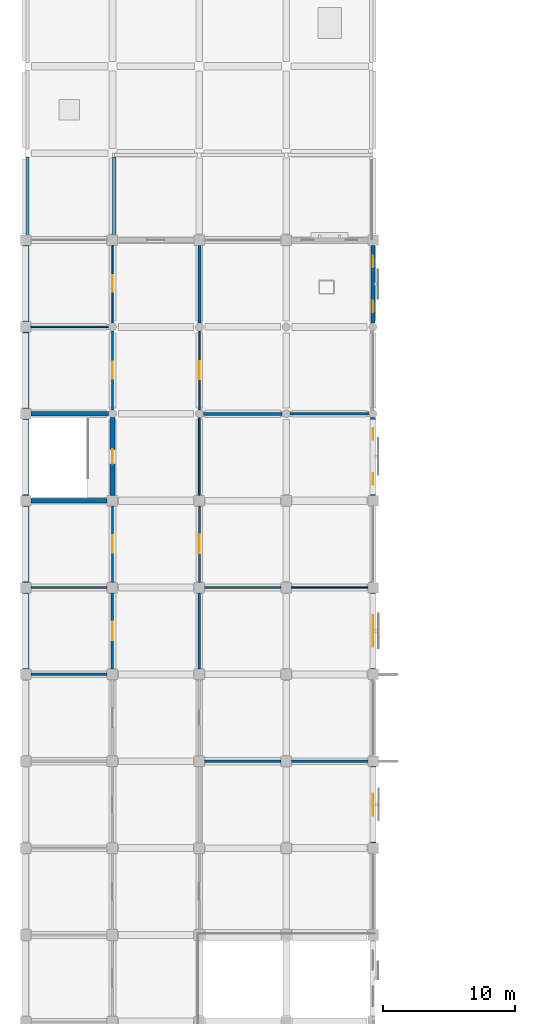
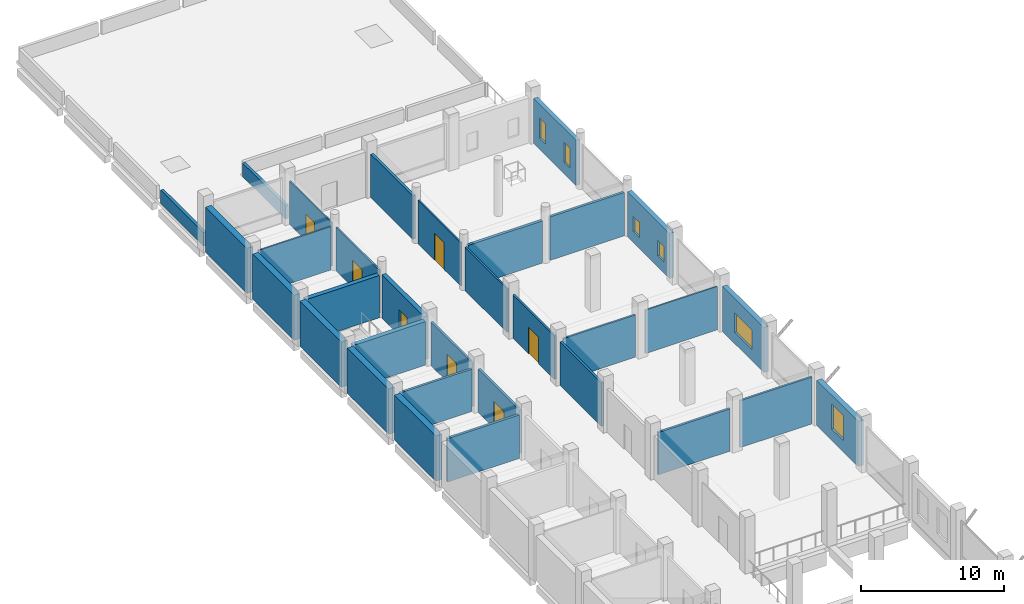
# One storey, part 24 of 34: 32 walls, 7 doors, 6 windows, 13 openings.
"""IFC4 building model written with IfcOpenShell, lengths in metres."""

from ifc_helpers import new_model, si_unit, direction, frame, frame_2d, origin, place, context, subcontext, project, spatial, rectangle, extrude, material, layer, layer_set, type_object, element, fill, save


model = new_model("IFC4")

# Units and contexts
model_context = context("Model", 3, precision=1e-05, world=origin(), true_north=direction((0.0, 1.0)))
body_context = subcontext(model_context, "Body", "Model", "MODEL_VIEW")
ifc_project = project(units=[si_unit("LENGTHUNIT", "METRE"), si_unit("AREAUNIT", "SQUARE_METRE"), si_unit("VOLUMEUNIT", "CUBIC_METRE"), si_unit("PLANEANGLEUNIT", "RADIAN"), si_unit("MASSUNIT", "GRAM", prefix="KILO")], contexts=[model_context])

# Site, building, storey
site_placement = place(None, origin())
site = spatial("IfcSite", under=ifc_project, at=site_placement, CompositionType="ELEMENT")
building_placement = place(site_placement, origin())
building = spatial("IfcBuilding", under=site, at=building_placement, Name="Rusizi Kubbe Research Institute", CompositionType="ELEMENT")
storey_placement = place(building_placement, frame((0.0, 0.0, 5.39990234375)))
storey = spatial("IfcBuildingStorey", under=building, at=storey_placement, Name="L01", CompositionType="ELEMENT", Elevation=5.39990234375)

# Walls
ifc_material_1 = material(Name="Concrete C45/55", Category="concrete")
ifc_layer_1 = layer(ifc_material_1, 0.35009765625)
ifc_layer_set_1 = layer_set([ifc_layer_1], Name="Concrete C45/55")
wall_type_1 = type_object("IfcWallType", Name="CRW-01", PredefinedType="SHEAR", material=ifc_layer_set_1)
wall_1_placement = place(storey_placement, frame((0.39990234375, 125.39990234375, 0.0), z_axis=(0.0, 0.0, 1.0), x_axis=(1.0, 0.0, 0.0)))
element("IfcWall", 1, at=wall_1_placement, inside=storey, type_object=wall_type_1, Name="Stair Core Shear Wall ST6 L01 S", PredefinedType="SHEAR", context=body_context, shape_type="SweptSolid", body=[
    extrude(rectangle(XDim=5.800048828125, YDim=0.35009765625, at=frame_2d((2.89990234375, 0.0))), origin(), (0.0, 0.0, 1.0), 3.7001953125),
])
wall_2_placement = place(storey_placement, frame((0.39990234375, 132.0, 0.0), z_axis=(0.0, 0.0, 1.0), x_axis=(1.0, 0.0, 0.0)))
element("IfcWall", 2, at=wall_2_placement, inside=storey, type_object=wall_type_1, Name="Stair Core Shear Wall ST6 L01 N", PredefinedType="SHEAR", context=body_context, shape_type="SweptSolid", body=[
    extrude(rectangle(XDim=5.900146484375, YDim=0.35009765625, at=frame_2d((2.9501953125, 0.0))), origin(), (0.0, 0.0, 1.0), 3.60009765625),
])

# Wall, opening, door
wall_3_placement = place(storey_placement, frame((6.60009765625, 125.800048828125, 0.0), z_axis=(0.0, 0.0, 1.0), x_axis=(0.0, 1.0, 0.0)))
wall_3 = element("IfcWall", 3, at=wall_3_placement, inside=storey, type_object=wall_type_1, Name="Stair Core Shear Wall ST6 L01 E", PredefinedType="SHEAR", context=body_context, shape_type="SweptSolid", body=[
    extrude(rectangle(XDim=5.89990234375, YDim=0.35009765625, at=frame_2d((2.949951171875, 0.0))), origin(), (0.0, 0.0, 1.0), 3.7001953125),
])
opening_1_placement = place(wall_3_placement, frame((2.39990234375, 0.0, 0.0)))
opening_1 = element("IfcOpeningElement", 4, at=opening_1_placement, cuts=wall_3, Name="Opening D-01", PredefinedType="OPENING", context=body_context, shape_type="SweptSolid", body=[
    extrude(rectangle(XDim=1.10009765625, YDim=2.14990234375, at=frame_2d((0.550048828125, 1.074951171875))), frame((0.0, 0.18505859375, 0.0), z_axis=(0.0, -1.0, 0.0), x_axis=(1.0, 0.0, 0.0)), (0.0, 0.0, 1.0), 0.3701171875),
])
ifc_material_2 = material(Name="Fire-Rated Steel Frame and Acoustic Timber Leaf", Category="wood")
door_type_1 = type_object("IfcDoorType", Name="ID-STAIR-110", OperationType="NOTDEFINED", PredefinedType="DOOR", material=ifc_material_2)
door_1_placement = place(opening_1_placement, origin())
door_1 = element("IfcDoor", 5, at=door_1_placement, inside=storey, type_object=door_type_1, Name="Exit Stair Door ST6 L01", OperationType="SINGLE_SWING_LEFT", OverallHeight=2.14990234375, OverallWidth=1.10009765625, PredefinedType="DOOR", context=body_context, shape_type="SweptSolid", body=[
    extrude(rectangle(XDim=1.10009765625, YDim=2.14990234375, at=frame_2d((0.550048828125, 1.074951171875))), frame((0.0, 0.02490234375, 0.0), z_axis=(0.0, -1.0, 0.0), x_axis=(1.0, 0.0, 0.0)), (0.0, 0.0, 1.0), 0.050048828125),
])
fill(opening_1, door_1)

# Wall, opening, window
ifc_material_3 = material(Name="Volcanic Basalt Ashlar Masonry", Category="masonry")
ifc_layer_2 = layer(ifc_material_3, 0.419921875)
ifc_layer_set_2 = layer_set([ifc_layer_2], Name="Volcanic Basalt Ashlar Masonry")
wall_type_2 = type_object("IfcWallType", Name="EW-02", PredefinedType="SOLIDWALL", material=ifc_layer_set_2)
wall_4_placement = place(storey_placement, frame((26.39990234375, 99.39990234375, 0.0), z_axis=(0.0, 0.0, 1.0), x_axis=(0.0, 1.0, 0.0)))
wall_4 = element("IfcWall", 6, at=wall_4_placement, inside=storey, type_object=wall_type_2, Name="Ablaq Stone Exterior Wall L01 V4-15", PredefinedType="SOLIDWALL", context=body_context, shape_type="SweptSolid", body=[
    extrude(rectangle(XDim=5.800048828125, YDim=0.419921875, at=frame_2d((2.89990234375, 0.0))), origin(), (0.0, 0.0, 1.0), 3.85009765625),
])
opening_2_placement = place(wall_4_placement, frame((2.070068359375, 0.0, 0.949951171875)))
opening_2 = element("IfcOpeningElement", 7, at=opening_2_placement, cuts=wall_4, Name="Opening WN-37", PredefinedType="OPENING", context=body_context, shape_type="SweptSolid", body=[
    extrude(rectangle(XDim=1.659912109375, YDim=2.139892578125, at=frame_2d((0.830078125, 1.06982421875))), frame((0.0, 0.219970703125, 0.0), z_axis=(0.0, -1.0, 0.0), x_axis=(1.0, 0.0, 0.0)), (0.0, 0.0, 1.0), 0.43994140625),
])
ifc_material_4 = material(Name="Aluminium Frame and Solar-Control Double Glazing", Category="glass")
window_type_1 = type_object("IfcWindowType", Name="WN-37", PartitioningType="DOUBLE_PANEL_VERTICAL", PredefinedType="WINDOW", material=ifc_material_4)
window_1_placement = place(opening_2_placement, origin())
window_1 = element("IfcWindow", 8, at=window_1_placement, inside=storey, type_object=window_type_1, Name="Casement Window WN-37 L01", OverallHeight=2.139892578125, OverallWidth=1.659912109375, PartitioningType="DOUBLE_PANEL_VERTICAL", PredefinedType="WINDOW", context=body_context, shape_type="SweptSolid", body=[
    extrude(rectangle(XDim=1.659912109375, YDim=2.139892578125, at=frame_2d((0.830078125, 1.06982421875))), frame((0.0, 0.030029296875, 0.0), z_axis=(0.0, -1.0, 0.0), x_axis=(1.0, 0.0, 0.0)), (0.0, 0.0, 1.0), 0.06005859375),
])
fill(opening_2, window_1)

ifc_material_5 = material(Name="Volcanic Basalt Ashlar Masonry", Category="masonry")
ifc_layer_3 = layer(ifc_material_5, 0.385009765625)
ifc_layer_set_3 = layer_set([ifc_layer_3], Name="Volcanic Basalt Ashlar Masonry")
wall_type_3 = type_object("IfcWallType", Name="EW-04", PredefinedType="SOLIDWALL", material=ifc_layer_set_3)
wall_5_placement = place(storey_placement, frame((26.39990234375, 112.60009765625, 0.0), z_axis=(0.0, 0.0, 1.0), x_axis=(0.0, 1.0, 0.0)))
wall_5 = element("IfcWall", 9, at=wall_5_placement, inside=storey, type_object=wall_type_3, Name="Ablaq Stone Exterior Wall L01 V4-17", PredefinedType="SOLIDWALL", context=body_context, shape_type="SweptSolid", body=[
    extrude(rectangle(XDim=5.7998046875, YDim=0.385009765625, at=frame_2d((2.89990234375, 0.0))), origin(), (0.0, 0.0, 1.0), 3.85009765625),
])
opening_3_placement = place(wall_5_placement, frame((1.68994140625, 0.0, 0.949951171875)))
opening_3 = element("IfcOpeningElement", 10, at=opening_3_placement, cuts=wall_5, Name="Opening WN-38", PredefinedType="OPENING", context=body_context, shape_type="SweptSolid", body=[
    extrude(rectangle(XDim=2.419921875, YDim=1.679931640625, at=frame_2d((1.2099609375, 0.83984375))), frame((0.0, 0.202392578125, 0.0), z_axis=(0.0, -1.0, 0.0), x_axis=(1.0, 0.0, 0.0)), (0.0, 0.0, 1.0), 0.405029296875),
])
ifc_material_6 = material(Name="Aluminium Frame and Solar-Control Double Glazing", Category="glass")
window_type_2 = type_object("IfcWindowType", Name="WN-38", PartitioningType="DOUBLE_PANEL_VERTICAL", PredefinedType="WINDOW", material=ifc_material_6)
window_2_placement = place(opening_3_placement, origin())
window_2 = element("IfcWindow", 11, at=window_2_placement, inside=storey, type_object=window_type_2, Name="Casement Window WN-38 L01", OverallHeight=1.679931640625, OverallWidth=2.419921875, PartitioningType="DOUBLE_PANEL_VERTICAL", PredefinedType="WINDOW", context=body_context, shape_type="SweptSolid", body=[
    extrude(rectangle(XDim=2.419921875, YDim=1.679931640625, at=frame_2d((1.2099609375, 0.83984375))), frame((0.0, 0.030029296875, 0.0), z_axis=(0.0, -1.0, 0.0), x_axis=(1.0, 0.0, 0.0)), (0.0, 0.0, 1.0), 0.06005859375),
])
fill(opening_3, window_2)

# Wall, openings, windows
ifc_material_7 = material(Name="Volcanic Basalt Ashlar Masonry", Category="masonry")
ifc_layer_4 = layer(ifc_material_7, 0.35498046875)
ifc_layer_set_4 = layer_set([ifc_layer_4], Name="Volcanic Basalt Ashlar Masonry")
wall_type_4 = type_object("IfcWallType", Name="EW-06", PredefinedType="SOLIDWALL", material=ifc_layer_set_4)
wall_6_placement = place(storey_placement, frame((26.39990234375, 125.800048828125, 0.0), z_axis=(0.0, 0.0, 1.0), x_axis=(0.0, 1.0, 0.0)))
wall_6 = element("IfcWall", 12, at=wall_6_placement, inside=storey, type_object=wall_type_4, Name="Ablaq Stone Exterior Wall L01 V4-19", PredefinedType="SOLIDWALL", context=body_context, shape_type="SweptSolid", body=[
    extrude(rectangle(XDim=5.89990234375, YDim=0.35498046875, at=frame_2d((2.949951171875, 0.0))), origin(), (0.0, 0.0, 1.0), 3.85009765625),
])
opening_4_placement = place(wall_6_placement, frame((0.800048828125, 0.0, 0.949951171875)))
opening_4 = element("IfcOpeningElement", 13, at=opening_4_placement, cuts=wall_6, Name="Opening WN-01", PredefinedType="OPENING", context=body_context, shape_type="SweptSolid", body=[
    extrude(rectangle(XDim=0.8798828125, YDim=1.300048828125, at=frame_2d((0.43994140625, 0.64990234375))), frame((0.0, 0.1875, 0.0), z_axis=(0.0, -1.0, 0.0), x_axis=(1.0, 0.0, 0.0)), (0.0, 0.0, 1.0), 0.375),
])
opening_5_placement = place(wall_6_placement, frame((4.219970703125, 0.0, 0.949951171875)))
opening_5 = element("IfcOpeningElement", 14, at=opening_5_placement, cuts=wall_6, Name="Opening WN-01", PredefinedType="OPENING", context=body_context, shape_type="SweptSolid", body=[
    extrude(rectangle(XDim=0.8798828125, YDim=1.300048828125, at=frame_2d((0.43994140625, 0.64990234375))), frame((0.0, 0.1875, 0.0), z_axis=(0.0, -1.0, 0.0), x_axis=(1.0, 0.0, 0.0)), (0.0, 0.0, 1.0), 0.375),
])
ifc_material_8 = material(Name="Aluminium Frame and Solar-Control Double Glazing", Category="glass")
window_type_3 = type_object("IfcWindowType", Name="WN-01", PartitioningType="SINGLE_PANEL", PredefinedType="WINDOW", material=ifc_material_8)
window_3_placement = place(opening_4_placement, origin())
window_3 = element("IfcWindow", 15, at=window_3_placement, inside=storey, type_object=window_type_3, Name="Casement Window WN-01 L01", OverallHeight=1.300048828125, OverallWidth=0.8798828125, PartitioningType="SINGLE_PANEL", PredefinedType="WINDOW", context=body_context, shape_type="SweptSolid", body=[
    extrude(rectangle(XDim=0.8798828125, YDim=1.300048828125, at=frame_2d((0.43994140625, 0.64990234375))), frame((0.0, 0.030029296875, 0.0), z_axis=(0.0, -1.0, 0.0), x_axis=(1.0, 0.0, 0.0)), (0.0, 0.0, 1.0), 0.06005859375),
])
fill(opening_4, window_3)
window_4_placement = place(opening_5_placement, origin())
window_4 = element("IfcWindow", 16, at=window_4_placement, inside=storey, type_object=window_type_3, Name="Casement Window WN-01 L01", OverallHeight=1.300048828125, OverallWidth=0.8798828125, PartitioningType="SINGLE_PANEL", PredefinedType="WINDOW", context=body_context, shape_type="SweptSolid", body=[
    extrude(rectangle(XDim=0.8798828125, YDim=1.300048828125, at=frame_2d((0.43994140625, 0.64990234375))), frame((0.0, 0.030029296875, 0.0), z_axis=(0.0, -1.0, 0.0), x_axis=(1.0, 0.0, 0.0)), (0.0, 0.0, 1.0), 0.06005859375),
])
fill(opening_5, window_4)

ifc_material_9 = material(Name="Volcanic Basalt Ashlar Masonry", Category="masonry")
ifc_layer_5 = layer(ifc_material_9, 0.324951171875)
ifc_layer_set_5 = layer_set([ifc_layer_5], Name="Volcanic Basalt Ashlar Masonry")
wall_type_5 = type_object("IfcWallType", Name="EW-08", PredefinedType="SOLIDWALL", material=ifc_layer_set_5)
wall_7_placement = place(storey_placement, frame((26.39990234375, 138.89990234375, 0.0), z_axis=(0.0, 0.0, 1.0), x_axis=(0.0, 1.0, 0.0)))
wall_7 = element("IfcWall", 17, at=wall_7_placement, inside=storey, type_object=wall_type_5, Name="Ablaq Stone Exterior Wall L01 V4-21", PredefinedType="SOLIDWALL", context=body_context, shape_type="SweptSolid", body=[
    extrude(rectangle(XDim=5.900146484375, YDim=0.324951171875, at=frame_2d((2.9501953125, 0.0))), origin(), (0.0, 0.0, 1.0), 3.85009765625),
])
opening_6_placement = place(wall_7_placement, frame((0.800048828125, 0.0, 0.949951171875)))
opening_6 = element("IfcOpeningElement", 18, at=opening_6_placement, cuts=wall_7, Name="Opening WN-03", PredefinedType="OPENING", context=body_context, shape_type="SweptSolid", body=[
    extrude(rectangle(XDim=0.8798828125, YDim=1.739990234375, at=frame_2d((0.43994140625, 0.8701171875))), frame((0.0, 0.17236328125, 0.0), z_axis=(0.0, -1.0, 0.0), x_axis=(1.0, 0.0, 0.0)), (0.0, 0.0, 1.0), 0.344970703125),
])
opening_7_placement = place(wall_7_placement, frame((4.219970703125, 0.0, 0.949951171875)))
opening_7 = element("IfcOpeningElement", 19, at=opening_7_placement, cuts=wall_7, Name="Opening WN-03", PredefinedType="OPENING", context=body_context, shape_type="SweptSolid", body=[
    extrude(rectangle(XDim=0.8798828125, YDim=1.739990234375, at=frame_2d((0.43994140625, 0.8701171875))), frame((0.0, 0.17236328125, 0.0), z_axis=(0.0, -1.0, 0.0), x_axis=(1.0, 0.0, 0.0)), (0.0, 0.0, 1.0), 0.344970703125),
])
ifc_material_10 = material(Name="Aluminium Frame and Solar-Control Double Glazing", Category="glass")
window_type_4 = type_object("IfcWindowType", Name="WN-03", PartitioningType="SINGLE_PANEL", PredefinedType="WINDOW", material=ifc_material_10)
window_5_placement = place(opening_6_placement, origin())
window_5 = element("IfcWindow", 20, at=window_5_placement, inside=storey, type_object=window_type_4, Name="Casement Window WN-03 L01", OverallHeight=1.739990234375, OverallWidth=0.8798828125, PartitioningType="SINGLE_PANEL", PredefinedType="WINDOW", context=body_context, shape_type="SweptSolid", body=[
    extrude(rectangle(XDim=0.8798828125, YDim=1.739990234375, at=frame_2d((0.43994140625, 0.8701171875))), frame((0.0, 0.030029296875, 0.0), z_axis=(0.0, -1.0, 0.0), x_axis=(1.0, 0.0, 0.0)), (0.0, 0.0, 1.0), 0.06005859375),
])
fill(opening_6, window_5)
window_6_placement = place(opening_7_placement, origin())
window_6 = element("IfcWindow", 21, at=window_6_placement, inside=storey, type_object=window_type_4, Name="Casement Window WN-03 L01", OverallHeight=1.739990234375, OverallWidth=0.8798828125, PartitioningType="SINGLE_PANEL", PredefinedType="WINDOW", context=body_context, shape_type="SweptSolid", body=[
    extrude(rectangle(XDim=0.8798828125, YDim=1.739990234375, at=frame_2d((0.43994140625, 0.8701171875))), frame((0.0, 0.030029296875, 0.0), z_axis=(0.0, -1.0, 0.0), x_axis=(1.0, 0.0, 0.0)), (0.0, 0.0, 1.0), 0.06005859375),
])
fill(opening_7, window_6)

# Walls
ifc_material_11 = material(Name="Concrete Blockwork Fire Partition", Category="masonry")
ifc_layer_6 = layer(ifc_material_11, 0.22509765625)
ifc_layer_set_6 = layer_set([ifc_layer_6], Name="Concrete Blockwork Fire Partition")
wall_type_6 = type_object("IfcWallType", Name="IW-01", PredefinedType="PARTITIONING", material=ifc_layer_set_6)
wall_8_placement = place(storey_placement, frame((13.199951171875, 138.89990234375, 0.0), z_axis=(0.0, 0.0, 1.0), x_axis=(0.0, 1.0, 0.0)))
element("IfcWall", 22, at=wall_8_placement, inside=storey, type_object=wall_type_6, Name="Interior Partition Wall L01 V2-21", PredefinedType="PARTITIONING", context=body_context, shape_type="SweptSolid", body=[
    extrude(rectangle(XDim=5.900146484375, YDim=0.22509765625, at=frame_2d((2.9501953125, 0.0))), origin(), (0.0, 0.0, 1.0), 3.7001953125),
])
wall_9_placement = place(storey_placement, frame((13.5, 132.0, 0.0), z_axis=(0.0, 0.0, 1.0), x_axis=(1.0, 0.0, 0.0)))
element("IfcWall", 23, at=wall_9_placement, inside=storey, type_object=wall_type_6, Name="Interior Partition Wall L01 H2-20", PredefinedType="PARTITIONING", context=body_context, shape_type="SweptSolid", body=[
    extrude(rectangle(XDim=6.0, YDim=0.22509765625, at=frame_2d((3.0, 0.0))), origin(), (0.0, 0.0, 1.0), 3.60009765625),
])
ifc_material_12 = material(Name="Insulated Cleanroom Partition", Category="masonry")
ifc_layer_7 = layer(ifc_material_12, 0.195068359375)
ifc_layer_set_7 = layer_set([ifc_layer_7], Name="Insulated Cleanroom Partition")
wall_type_7 = type_object("IfcWallType", Name="IW-02", PredefinedType="PARTITIONING", material=ifc_layer_set_7)
wall_10_placement = place(storey_placement, frame((0.39990234375, 112.199951171875, 0.0), z_axis=(0.0, 0.0, 1.0), x_axis=(1.0, 0.0, 0.0)))
element("IfcWall", 24, at=wall_10_placement, inside=storey, type_object=wall_type_7, Name="Interior Partition Wall L01 H0-17", PredefinedType="PARTITIONING", context=body_context, shape_type="SweptSolid", body=[
    extrude(rectangle(XDim=5.800048828125, YDim=0.195068359375, at=frame_2d((2.89990234375, 0.0))), origin(), (0.0, 0.0, 1.0), 3.7001953125),
])

# Wall, opening, door
wall_11_placement = place(storey_placement, frame((6.60009765625, 112.60009765625, 0.0), z_axis=(0.0, 0.0, 1.0), x_axis=(0.0, 1.0, 0.0)))
wall_11 = element("IfcWall", 25, at=wall_11_placement, inside=storey, type_object=wall_type_7, Name="Interior Partition Wall L01 V1-17", PredefinedType="PARTITIONING", context=body_context, shape_type="SweptSolid", body=[
    extrude(rectangle(XDim=5.7998046875, YDim=0.195068359375, at=frame_2d((2.89990234375, 0.0))), origin(), (0.0, 0.0, 1.0), 3.7001953125),
])
opening_8_placement = place(wall_11_placement, frame((2.199951171875, 0.0, 0.0)))
opening_8 = element("IfcOpeningElement", 26, at=opening_8_placement, cuts=wall_11, Name="Opening D-12", PredefinedType="OPENING", context=body_context, shape_type="SweptSolid", body=[
    extrude(rectangle(XDim=1.39990234375, YDim=2.25, at=frame_2d((0.699951171875, 1.125))), frame((0.0, 0.107421875, 0.0), z_axis=(0.0, -1.0, 0.0), x_axis=(1.0, 0.0, 0.0)), (0.0, 0.0, 1.0), 0.215087890625),
])
ifc_material_13 = material(Name="Fire-Rated Steel Frame and Acoustic Timber Leaf", Category="wood")
door_type_2 = type_object("IfcDoorType", Name="ID-LAB-140", OperationType="NOTDEFINED", PredefinedType="DOOR", material=ifc_material_13)
door_2_placement = place(opening_8_placement, origin())
door_2 = element("IfcDoor", 27, at=door_2_placement, inside=storey, type_object=door_type_2, Name="Door to Clean Room Metrology Laboratory (L01-WSP-17)", OperationType="SINGLE_SWING_RIGHT", OverallHeight=2.25, OverallWidth=1.39990234375, PredefinedType="DOOR", context=body_context, shape_type="SweptSolid", body=[
    extrude(rectangle(XDim=1.39990234375, YDim=2.25, at=frame_2d((0.699951171875, 1.125))), frame((0.0, 0.02490234375, 0.0), z_axis=(0.0, -1.0, 0.0), x_axis=(1.0, 0.0, 0.0)), (0.0, 0.0, 1.0), 0.050048828125),
])
fill(opening_8, door_2)

# Walls
wall_12_placement = place(storey_placement, frame((20.10009765625, 132.0, 0.0), z_axis=(0.0, 0.0, 1.0), x_axis=(1.0, 0.0, 0.0)))
element("IfcWall", 28, at=wall_12_placement, inside=storey, type_object=wall_type_7, Name="Interior Partition Wall L01 H3-20", PredefinedType="PARTITIONING", context=body_context, shape_type="SweptSolid", body=[
    extrude(rectangle(XDim=6.0, YDim=0.195068359375, at=frame_2d((3.0, 0.0))), origin(), (0.0, 0.0, 1.0), 3.7001953125),
])
ifc_material_14 = material(Name="Acoustic Laboratory Partition", Category="masonry")
ifc_layer_8 = layer(ifc_material_14, 0.175048828125)
ifc_layer_set_8 = layer_set([ifc_layer_8], Name="Acoustic Laboratory Partition")
wall_type_8 = type_object("IfcWallType", Name="IW-03", PredefinedType="PARTITIONING", material=ifc_layer_set_8)
wall_13_placement = place(storey_placement, frame((0.39990234375, 118.800048828125, 0.0), z_axis=(0.0, 0.0, 1.0), x_axis=(1.0, 0.0, 0.0)))
element("IfcWall", 29, at=wall_13_placement, inside=storey, type_object=wall_type_8, Name="Interior Partition Wall L01 H0-18", PredefinedType="PARTITIONING", context=body_context, shape_type="SweptSolid", body=[
    extrude(rectangle(XDim=5.800048828125, YDim=0.175048828125, at=frame_2d((2.89990234375, 0.0))), origin(), (0.0, 0.0, 1.0), 3.60009765625),
])

# Wall, opening, door
wall_14_placement = place(storey_placement, frame((6.60009765625, 119.199951171875, 0.0), z_axis=(0.0, 0.0, 1.0), x_axis=(0.0, 1.0, 0.0)))
wall_14 = element("IfcWall", 30, at=wall_14_placement, inside=storey, type_object=wall_type_8, Name="Interior Partition Wall L01 V1-18", PredefinedType="PARTITIONING", context=body_context, shape_type="SweptSolid", body=[
    extrude(rectangle(XDim=5.800048828125, YDim=0.175048828125, at=frame_2d((2.89990234375, 0.0))), origin(), (0.0, 0.0, 1.0), 3.7001953125),
])
opening_9_placement = place(wall_14_placement, frame((2.22509765625, 0.0, 0.0)))
opening_9 = element("IfcOpeningElement", 31, at=opening_9_placement, cuts=wall_14, Name="Opening D-13", PredefinedType="OPENING", context=body_context, shape_type="SweptSolid", body=[
    extrude(rectangle(XDim=1.35009765625, YDim=2.300048828125, at=frame_2d((0.675048828125, 1.14990234375))), frame((0.0, 0.097412109375, 0.0), z_axis=(0.0, -1.0, 0.0), x_axis=(1.0, 0.0, 0.0)), (0.0, 0.0, 1.0), 0.195068359375),
])
ifc_material_15 = material(Name="Fire-Rated Steel Frame and Acoustic Timber Leaf", Category="wood")
door_type_3 = type_object("IfcDoorType", Name="ID-LAB-135", OperationType="NOTDEFINED", PredefinedType="DOOR", material=ifc_material_15)
door_3_placement = place(opening_9_placement, origin())
door_3 = element("IfcDoor", 32, at=door_3_placement, inside=storey, type_object=door_type_3, Name="Door to Service Spine Autoclave Room (L01-WSP-18)", OperationType="SINGLE_SWING_LEFT", OverallHeight=2.300048828125, OverallWidth=1.35009765625, PredefinedType="DOOR", context=body_context, shape_type="SweptSolid", body=[
    extrude(rectangle(XDim=1.35009765625, YDim=2.300048828125, at=frame_2d((0.675048828125, 1.14990234375))), frame((0.0, 0.02490234375, 0.0), z_axis=(0.0, -1.0, 0.0), x_axis=(1.0, 0.0, 0.0)), (0.0, 0.0, 1.0), 0.050048828125),
])
fill(opening_9, door_3)

# Walls
wall_15_placement = place(storey_placement, frame((13.199951171875, 112.60009765625, 0.0), z_axis=(0.0, 0.0, 1.0), x_axis=(0.0, 1.0, 0.0)))
element("IfcWall", 33, at=wall_15_placement, inside=storey, type_object=wall_type_8, Name="Interior Partition Wall L01 V2-17", PredefinedType="PARTITIONING", context=body_context, shape_type="SweptSolid", body=[
    extrude(rectangle(XDim=5.7998046875, YDim=0.175048828125, at=frame_2d((2.89990234375, 0.0))), origin(), (0.0, 0.0, 1.0), 3.7001953125),
])
wall_16_placement = place(storey_placement, frame((13.60009765625, 105.60009765625, 0.0), z_axis=(0.0, 0.0, 1.0), x_axis=(1.0, 0.0, 0.0)))
element("IfcWall", 34, at=wall_16_placement, inside=storey, type_object=wall_type_8, Name="Interior Partition Wall L01 H2-16", PredefinedType="PARTITIONING", context=body_context, shape_type="SweptSolid", body=[
    extrude(rectangle(XDim=5.7998046875, YDim=0.175048828125, at=frame_2d((2.89990234375, 0.0))), origin(), (0.0, 0.0, 1.0), 3.60009765625),
])

# Wall, opening, door
ifc_material_16 = material(Name="Fire-Rated Corridor Partition", Category="masonry")
ifc_layer_9 = layer(ifc_material_16, 0.155029296875)
ifc_layer_set_9 = layer_set([ifc_layer_9], Name="Fire-Rated Corridor Partition")
wall_type_9 = type_object("IfcWallType", Name="IW-04", PredefinedType="PARTITIONING", material=ifc_layer_set_9)
wall_17_placement = place(storey_placement, frame((13.199951171875, 119.199951171875, 0.0), z_axis=(0.0, 0.0, 1.0), x_axis=(0.0, 1.0, 0.0)))
wall_17 = element("IfcWall", 35, at=wall_17_placement, inside=storey, type_object=wall_type_9, Name="Interior Partition Wall L01 V2-18", PredefinedType="PARTITIONING", context=body_context, shape_type="SweptSolid", body=[
    extrude(rectangle(XDim=5.800048828125, YDim=0.155029296875, at=frame_2d((2.89990234375, 0.0))), origin(), (0.0, 0.0, 1.0), 3.7001953125),
])
opening_10_placement = place(wall_17_placement, frame((2.199951171875, 0.0, 0.0)))
opening_10 = element("IfcOpeningElement", 36, at=opening_10_placement, cuts=wall_17, Name="Opening D-12", PredefinedType="OPENING", context=body_context, shape_type="SweptSolid", body=[
    extrude(rectangle(XDim=1.39990234375, YDim=2.25, at=frame_2d((0.699951171875, 1.125))), frame((0.0, 0.08740234375, 0.0), z_axis=(0.0, -1.0, 0.0), x_axis=(1.0, 0.0, 0.0)), (0.0, 0.0, 1.0), 0.175048828125),
])
door_4_placement = place(opening_10_placement, origin())
door_4 = element("IfcDoor", 37, at=door_4_placement, inside=storey, type_object=door_type_2, Name="Door to Bioscience Wet Laboratory (L01-NW-08)", OperationType="SINGLE_SWING_RIGHT", OverallHeight=2.25, OverallWidth=1.39990234375, PredefinedType="DOOR", context=body_context, shape_type="SweptSolid", body=[
    extrude(rectangle(XDim=1.39990234375, YDim=2.25, at=frame_2d((0.699951171875, 1.125))), frame((0.0, 0.02490234375, 0.0), z_axis=(0.0, -1.0, 0.0), x_axis=(1.0, 0.0, 0.0)), (0.0, 0.0, 1.0), 0.050048828125),
])
fill(opening_10, door_4)

# Wall
wall_18_placement = place(storey_placement, frame((20.199951171875, 105.60009765625, 0.0), z_axis=(0.0, 0.0, 1.0), x_axis=(1.0, 0.0, 0.0)))
element("IfcWall", 38, at=wall_18_placement, inside=storey, type_object=wall_type_9, Name="Interior Partition Wall L01 H3-16", PredefinedType="PARTITIONING", context=body_context, shape_type="SweptSolid", body=[
    extrude(rectangle(XDim=5.800048828125, YDim=0.155029296875, at=frame_2d((2.89990234375, 0.0))), origin(), (0.0, 0.0, 1.0), 4.0),
])

# Wall, opening, door
ifc_material_17 = material(Name="Write-up Glazed Acoustic Partition", Category="masonry")
ifc_layer_10 = layer(ifc_material_17, 0.139892578125)
ifc_layer_set_10 = layer_set([ifc_layer_10], Name="Write-up Glazed Acoustic Partition")
wall_type_10 = type_object("IfcWallType", Name="IW-05", PredefinedType="PARTITIONING", material=ifc_layer_set_10)
wall_19_placement = place(storey_placement, frame((6.60009765625, 132.300048828125, 0.0), z_axis=(0.0, 0.0, 1.0), x_axis=(0.0, 1.0, 0.0)))
wall_19 = element("IfcWall", 39, at=wall_19_placement, inside=storey, type_object=wall_type_10, Name="Interior Partition Wall L01 V1-20", PredefinedType="PARTITIONING", context=body_context, shape_type="SweptSolid", body=[
    extrude(rectangle(XDim=6.0, YDim=0.139892578125, at=frame_2d((3.0, 0.0))), origin(), (0.0, 0.0, 1.0), 3.7001953125),
])
opening_11_placement = place(wall_19_placement, frame((2.35009765625, 0.0, 0.0)))
opening_11 = element("IfcOpeningElement", 40, at=opening_11_placement, cuts=wall_19, Name="Opening D-14", PredefinedType="OPENING", context=body_context, shape_type="SweptSolid", body=[
    extrude(rectangle(XDim=1.300048828125, YDim=2.300048828125, at=frame_2d((0.64990234375, 1.14990234375))), frame((0.0, 0.079833984375, 0.0), z_axis=(0.0, -1.0, 0.0), x_axis=(1.0, 0.0, 0.0)), (0.0, 0.0, 1.0), 0.159912109375),
])
ifc_material_18 = material(Name="Fire-Rated Steel Frame and Acoustic Timber Leaf", Category="wood")
door_type_4 = type_object("IfcDoorType", Name="ID-LAB-130", OperationType="NOTDEFINED", PredefinedType="DOOR", material=ifc_material_18)
door_5_placement = place(opening_11_placement, origin())
door_5 = element("IfcDoor", 41, at=door_5_placement, inside=storey, type_object=door_type_4, Name="Door to Service Spine Autoclave Room (L01-WSP-20)", OperationType="SINGLE_SWING_RIGHT", OverallHeight=2.300048828125, OverallWidth=1.300048828125, PredefinedType="DOOR", context=body_context, shape_type="SweptSolid", body=[
    extrude(rectangle(XDim=1.300048828125, YDim=2.300048828125, at=frame_2d((0.64990234375, 1.14990234375))), frame((0.0, 0.02490234375, 0.0), z_axis=(0.0, -1.0, 0.0), x_axis=(1.0, 0.0, 0.0)), (0.0, 0.0, 1.0), 0.050048828125),
])
fill(opening_11, door_5)

# Walls
wall_20_placement = place(storey_placement, frame((13.199951171875, 125.800048828125, 0.0), z_axis=(0.0, 0.0, 1.0), x_axis=(0.0, 1.0, 0.0)))
element("IfcWall", 42, at=wall_20_placement, inside=storey, type_object=wall_type_10, Name="Interior Partition Wall L01 V2-19", PredefinedType="PARTITIONING", context=body_context, shape_type="SweptSolid", body=[
    extrude(rectangle(XDim=5.89990234375, YDim=0.139892578125, at=frame_2d((2.949951171875, 0.0))), origin(), (0.0, 0.0, 1.0), 3.7001953125),
])
wall_21_placement = place(storey_placement, frame((13.60009765625, 118.800048828125, 0.0), z_axis=(0.0, 0.0, 1.0), x_axis=(1.0, 0.0, 0.0)))
element("IfcWall", 43, at=wall_21_placement, inside=storey, type_object=wall_type_10, Name="Interior Partition Wall L01 H2-18", PredefinedType="PARTITIONING", context=body_context, shape_type="SweptSolid", body=[
    extrude(rectangle(XDim=5.7998046875, YDim=0.139892578125, at=frame_2d((2.89990234375, 0.0))), origin(), (0.0, 0.0, 1.0), 3.60009765625),
])
ifc_material_19 = material(Name="Sub-Suite Fire Partition", Category="masonry")
ifc_layer_11 = layer(ifc_material_19, 0.110107421875)
ifc_layer_set_11 = layer_set([ifc_layer_11], Name="Sub-Suite Fire Partition")
wall_type_11 = type_object("IfcWallType", Name="IW-07", PredefinedType="PARTITIONING", material=ifc_layer_set_11)
wall_22_placement = place(storey_placement, frame((0.39990234375, 138.60009765625, 0.0), z_axis=(0.0, 0.0, 1.0), x_axis=(1.0, 0.0, 0.0)))
element("IfcWall", 44, at=wall_22_placement, inside=storey, type_object=wall_type_11, Name="Interior Partition Wall L01 H0-21", PredefinedType="PARTITIONING", context=body_context, shape_type="SweptSolid", body=[
    extrude(rectangle(XDim=5.900146484375, YDim=0.110107421875, at=frame_2d((2.9501953125, 0.0))), origin(), (0.0, 0.0, 1.0), 3.7001953125),
])

# Wall, opening, door
wall_23_placement = place(storey_placement, frame((6.60009765625, 138.89990234375, 0.0), z_axis=(0.0, 0.0, 1.0), x_axis=(0.0, 1.0, 0.0)))
wall_23 = element("IfcWall", 45, at=wall_23_placement, inside=storey, type_object=wall_type_11, Name="Interior Partition Wall L01 V1-21", PredefinedType="PARTITIONING", context=body_context, shape_type="SweptSolid", body=[
    extrude(rectangle(XDim=5.900146484375, YDim=0.110107421875, at=frame_2d((2.9501953125, 0.0))), origin(), (0.0, 0.0, 1.0), 3.7001953125),
])
opening_12_placement = place(wall_23_placement, frame((2.375, 0.0, 0.0)))
opening_12 = element("IfcOpeningElement", 46, at=opening_12_placement, cuts=wall_23, Name="Opening D-15", PredefinedType="OPENING", context=body_context, shape_type="SweptSolid", body=[
    extrude(rectangle(XDim=1.25, YDim=2.25, at=frame_2d((0.625, 1.125))), frame((0.0, 0.06494140625, 0.0), z_axis=(0.0, -1.0, 0.0), x_axis=(1.0, 0.0, 0.0)), (0.0, 0.0, 1.0), 0.130126953125),
])
ifc_material_20 = material(Name="Fire-Rated Steel Frame and Acoustic Timber Leaf", Category="wood")
door_type_5 = type_object("IfcDoorType", Name="ID-LAB-125", OperationType="NOTDEFINED", PredefinedType="DOOR", material=ifc_material_20)
door_6_placement = place(opening_12_placement, origin())
door_6 = element("IfcDoor", 47, at=door_6_placement, inside=storey, type_object=door_type_5, Name="Door to Clean Room Metrology Laboratory (L01-WSP-21)", OperationType="SINGLE_SWING_LEFT", OverallHeight=2.25, OverallWidth=1.25, PredefinedType="DOOR", context=body_context, shape_type="SweptSolid", body=[
    extrude(rectangle(XDim=1.25, YDim=2.25, at=frame_2d((0.625, 1.125))), frame((0.0, 0.02490234375, 0.0), z_axis=(0.0, -1.0, 0.0), x_axis=(1.0, 0.0, 0.0)), (0.0, 0.0, 1.0), 0.050048828125),
])
fill(opening_12, door_6)

wall_24_placement = place(storey_placement, frame((13.199951171875, 132.300048828125, 0.0), z_axis=(0.0, 0.0, 1.0), x_axis=(0.0, 1.0, 0.0)))
wall_24 = element("IfcWall", 48, at=wall_24_placement, inside=storey, type_object=wall_type_11, Name="Interior Partition Wall L01 V2-20", PredefinedType="PARTITIONING", context=body_context, shape_type="SweptSolid", body=[
    extrude(rectangle(XDim=6.0, YDim=0.110107421875, at=frame_2d((3.0, 0.0))), origin(), (0.0, 0.0, 1.0), 3.7001953125),
])
opening_13_placement = place(wall_24_placement, frame((2.324951171875, 0.0, 0.0)))
opening_13 = element("IfcOpeningElement", 49, at=opening_13_placement, cuts=wall_24, Name="Opening D-13", PredefinedType="OPENING", context=body_context, shape_type="SweptSolid", body=[
    extrude(rectangle(XDim=1.35009765625, YDim=2.300048828125, at=frame_2d((0.675048828125, 1.14990234375))), frame((0.0, 0.06494140625, 0.0), z_axis=(0.0, -1.0, 0.0), x_axis=(1.0, 0.0, 0.0)), (0.0, 0.0, 1.0), 0.130126953125),
])
door_7_placement = place(opening_13_placement, origin())
door_7 = element("IfcDoor", 50, at=door_7_placement, inside=storey, type_object=door_type_3, Name="Door to Computational Dry Laboratory (L01-NW-09)", OperationType="SINGLE_SWING_LEFT", OverallHeight=2.300048828125, OverallWidth=1.35009765625, PredefinedType="DOOR", context=body_context, shape_type="SweptSolid", body=[
    extrude(rectangle(XDim=1.35009765625, YDim=2.300048828125, at=frame_2d((0.675048828125, 1.14990234375))), frame((0.0, 0.02490234375, 0.0), z_axis=(0.0, -1.0, 0.0), x_axis=(1.0, 0.0, 0.0)), (0.0, 0.0, 1.0), 0.050048828125),
])
fill(opening_13, door_7)

# Walls
wall_25_placement = place(storey_placement, frame((20.199951171875, 118.800048828125, 0.0), z_axis=(0.0, 0.0, 1.0), x_axis=(1.0, 0.0, 0.0)))
element("IfcWall", 51, at=wall_25_placement, inside=storey, type_object=wall_type_11, Name="Interior Partition Wall L01 H3-18", PredefinedType="PARTITIONING", context=body_context, shape_type="SweptSolid", body=[
    extrude(rectangle(XDim=5.800048828125, YDim=0.110107421875, at=frame_2d((2.89990234375, 0.0))), origin(), (0.0, 0.0, 1.0), 3.7001953125),
])
ifc_material_21 = material(Name="Volcanic Basalt Ashlar Masonry", Category="masonry")
ifc_layer_12 = layer(ifc_material_21, 0.239990234375)
ifc_layer_set_12 = layer_set([ifc_layer_12], Name="Volcanic Basalt Ashlar Masonry")
wall_type_12 = type_object("IfcWallType", Name="PRP-01", PredefinedType="PARAPET", material=ifc_layer_set_12)
for number, where, z_axis, x_axis, name in (
    (52, (6.739990234375, 145.5, 0.0), (0.0, 0.0, 1.0), (0.0, 1.0, 0.0), "Terrace Divider Parapet Wall L01-002"),
    (53, (0.139892578125, 145.5, 0.0), (0.0, 0.0, 1.0), (0.0, 1.0, 0.0), "Roof Parapet Wall L01-010"),
):
    element("IfcWall", number, at=place(storey_placement, frame(where, z_axis=z_axis, x_axis=x_axis)), inside=storey, type_object=wall_type_12, Name=name, PredefinedType="PARAPET", context=body_context, shape_type="SweptSolid", body=[
        extrude(rectangle(XDim=6.0, YDim=0.239990234375, at=frame_2d((3.0, 0.0))), origin(), (0.0, 0.0, 1.0), 1.150146484375),
    ])
ifc_material_22 = material(Name="Concrete C40/50", Category="concrete")
ifc_layer_13 = layer(ifc_material_22, 0.47998046875)
ifc_layer_set_13 = layer_set([ifc_layer_13], Name="Concrete C40/50")
wall_type_13 = type_object("IfcWallType", Name="PW-01", PredefinedType="SOLIDWALL", material=ifc_layer_set_13)
wall_26_placement = place(storey_placement, frame((0.0, 112.60009765625, 0.0), z_axis=(0.0, 0.0, 1.0), x_axis=(0.0, 1.0, 0.0)))
element("IfcWall", 54, at=wall_26_placement, inside=storey, type_object=wall_type_13, Name="Blind Party Wall L01 V0-17", PredefinedType="SOLIDWALL", context=body_context, shape_type="SweptSolid", body=[
    extrude(rectangle(XDim=5.7998046875, YDim=0.47998046875, at=frame_2d((2.89990234375, 0.0))), origin(), (0.0, 0.0, 1.0), 3.85009765625),
])
for number, where, z_axis, x_axis, name in (
    (55, (0.0, 119.199951171875, 0.0), (0.0, 0.0, 1.0), (0.0, 1.0, 0.0), "Blind Party Wall L01 V0-18"),
    (56, (0.0, 125.800048828125, 0.0), (0.0, 0.0, 1.0), (0.0, 1.0, 0.0), "Blind Party Wall L01 V0-19"),
    (57, (0.0, 132.39990234375, 0.0), (0.0, 0.0, 1.0), (0.0, 1.0, 0.0), "Blind Party Wall L01 V0-20"),
    (58, (0.0, 139.0, 0.0), (0.0, 0.0, 1.0), (0.0, 1.0, 0.0), "Blind Party Wall L01 V0-21"),
):
    element("IfcWall", number, at=place(storey_placement, frame(where, z_axis=z_axis, x_axis=x_axis)), inside=storey, type_object=wall_type_13, Name=name, PredefinedType="SOLIDWALL", context=body_context, shape_type="SweptSolid", body=[
        extrude(rectangle(XDim=5.800048828125, YDim=0.47998046875, at=frame_2d((2.89990234375, 0.0))), origin(), (0.0, 0.0, 1.0), 3.85009765625),
    ])

save(model, "model.ifc")
